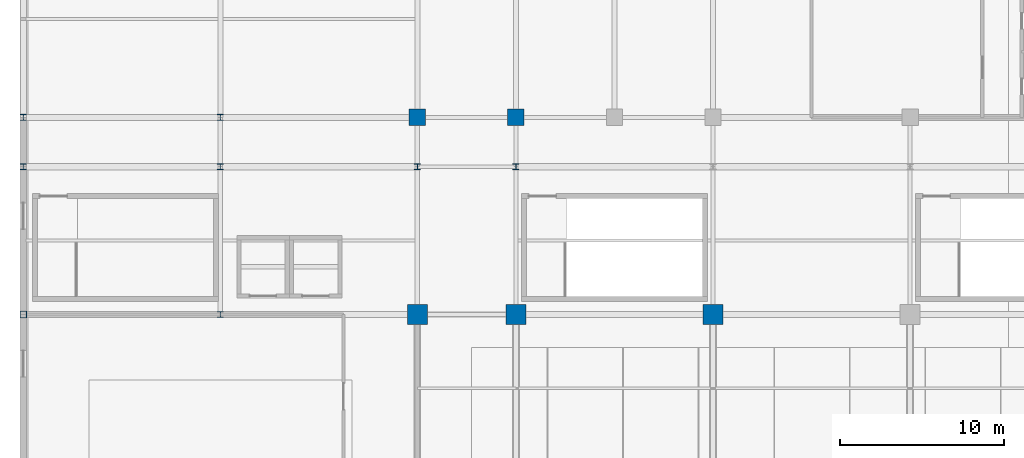
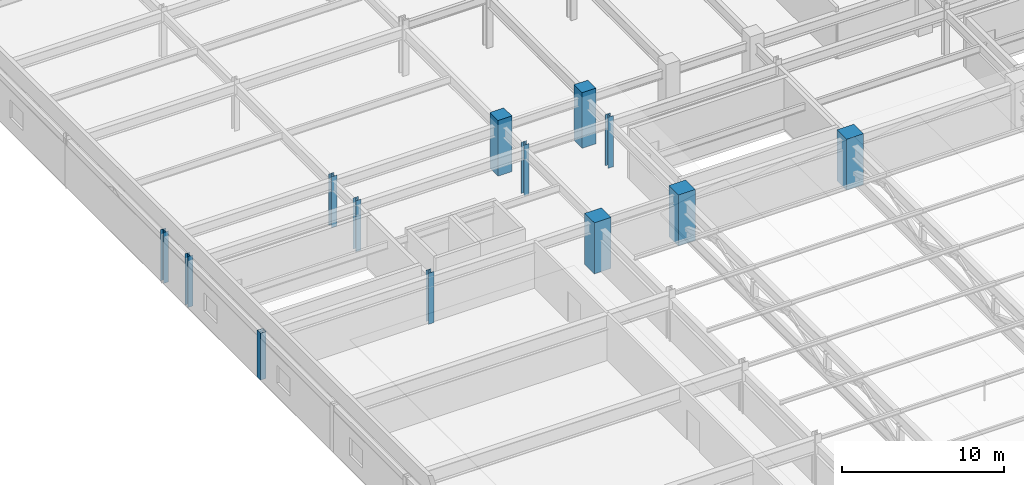
# One storey, part 7 of 108: 13 columns.
"""IFC4 building model written with IfcOpenShell, lengths in metres."""

from ifc_helpers import new_model, si_unit, direction, frame, origin, origin_2d, place, context, subcontext, project, spatial, rectangle, hollow_rectangle, i_section, extrude, material, material_profile, profile_set, type_object, element, save


model = new_model("IFC4")

# Units and contexts
model_context = context("Model", 3, precision=1e-05, world=origin(), true_north=direction((0.0, 1.0)))
body_context = subcontext(model_context, "Body", "Model", "MODEL_VIEW")
ifc_project = project(units=[si_unit("LENGTHUNIT", "METRE"), si_unit("AREAUNIT", "SQUARE_METRE"), si_unit("VOLUMEUNIT", "CUBIC_METRE"), si_unit("PLANEANGLEUNIT", "RADIAN"), si_unit("MASSUNIT", "GRAM", prefix="KILO")], contexts=[model_context])

# Site, building, storey
site_placement = place(None, origin())
site = spatial("IfcSite", under=ifc_project, at=site_placement, CompositionType="ELEMENT")
building_placement = place(site_placement, origin())
building = spatial("IfcBuilding", under=site, at=building_placement, Name="Kaldorvane Square Convention Centre", CompositionType="ELEMENT")
storey_placement = place(building_placement, frame((0.0, 0.0, 23.399993896484375)))
storey = spatial("IfcBuildingStorey", under=building, at=storey_placement, Name="L04", CompositionType="ELEMENT", Elevation=23.399993896484375)

# Columns
ifc_material_1 = material(Name="Steel ASTM A500 Gr. C", Category="steel")
ifc_material_profile_1 = material_profile(ifc_material_1, hollow_rectangle(XDim=0.406402587890625, YDim=0.406402587890625, WallThickness=0.014801025390625, at=origin_2d()), Name="HSS16X16X5/8")
ifc_profile_set_1 = profile_set([ifc_material_profile_1], Name="Steel ASTM A500 Gr. C")
column_type_1 = type_object("IfcColumnType", Name="COL-HSS-16", PredefinedType="COLUMN", material=ifc_profile_set_1)
column_placement = place(storey_placement, frame((0.0, 72.0, 0.0), z_axis=(0.0, 0.0, 1.0), x_axis=(1.0, 0.0, 0.0)))
element("IfcColumn", 1, at=column_placement, inside=storey, type_object=column_type_1, Name="Column SC-14 (L04)", PredefinedType="COLUMN", context=body_context, shape_type="SweptSolid", body=[
    extrude(hollow_rectangle(XDim=0.406402587890625, YDim=0.406402587890625, WallThickness=0.014801025390625, at=origin_2d()), origin(), (0.0, 0.0, 1.0), 3.529998779296875),
])
ifc_material_2 = material(Name="Concrete f'c = 55 MPa (Normalweight)", Category="concrete")
ifc_material_profile_2 = material_profile(ifc_material_2, rectangle(XDim=1.1999969482421875, YDim=1.1999969482421875, at=origin_2d()), Name="RC1200X1200")
ifc_profile_set_2 = profile_set([ifc_material_profile_2], Name="Concrete f'c = 55 MPa (Normalweight)")
column_type_2 = type_object("IfcColumnType", Name="COL-MEGA-1200", PredefinedType="COLUMN", material=ifc_profile_set_2)
for number, where, z_axis, x_axis, name in (
    (2, (24.0, 72.0, 0.0), (0.0, 0.0, 1.0), (1.0, 0.0, 0.0), "Column MC-02 (L04)"),
    (3, (30.0, 72.0, 0.0), (0.0, 0.0, 1.0), (1.0, 0.0, 0.0), "Column MC-02 (L04)"),
    (4, (42.0, 72.0, 0.0), (0.0, 0.0, 1.0), (1.0, 0.0, 0.0), "Column MC-02 (L04)"),
):
    element("IfcColumn", number, at=place(storey_placement, frame(where, z_axis=z_axis, x_axis=x_axis)), inside=storey, type_object=column_type_2, Name=name, PredefinedType="COLUMN", context=body_context, shape_type="SweptSolid", body=[
        extrude(rectangle(XDim=1.1999969482421875, YDim=1.1999969482421875, at=origin_2d()), origin(), (0.0, 0.0, 1.0), 3.850006103515625),
    ])
ifc_material_profile_3 = material_profile(ifc_material_2, rectangle(XDim=1.0, YDim=1.0, at=origin_2d()), Name="RC1000X1000")
ifc_profile_set_3 = profile_set([ifc_material_profile_3], Name="Concrete f'c = 55 MPa (Normalweight)")
column_type_3 = type_object("IfcColumnType", Name="COL-RC-1000", PredefinedType="COLUMN", material=ifc_profile_set_3)
for number, where, z_axis, x_axis, name in (
    (5, (24.0, 84.0, 0.0), (0.0, 0.0, 1.0), (1.0, 0.0, 0.0), "Column CC-02 (L04)"),
    (6, (30.0, 84.0, 0.0), (0.0, 0.0, 1.0), (1.0, 0.0, 0.0), "Column CC-02 (L04)"),
):
    element("IfcColumn", number, at=place(storey_placement, frame(where, z_axis=z_axis, x_axis=x_axis)), inside=storey, type_object=column_type_3, Name=name, PredefinedType="COLUMN", context=body_context, shape_type="SweptSolid", body=[
        extrude(rectangle(XDim=1.0, YDim=1.0, at=origin_2d()), origin(), (0.0, 0.0, 1.0), 4.20001220703125),
    ])
ifc_material_3 = material(Name="Steel ASTM A992 Gr. 50", Category="steel")
ifc_material_profile_4 = material_profile(ifc_material_3, i_section(OverallWidth=0.3701019287109375, OverallDepth=0.360198974609375, WebThickness=0.012298583984375, FlangeThickness=0.019805908203125, FilletRadius=0.0305023193359375, at=origin_2d()), Name="W14X99")
ifc_profile_set_4 = profile_set([ifc_material_profile_4], Name="Steel ASTM A992 Gr. 50")
column_type_4 = type_object("IfcColumnType", Name="COL-STL-99", PredefinedType="COLUMN", material=ifc_profile_set_4)
for number, where, z_axis, x_axis, name in (
    (7, (0.0, 81.0, 0.0), (0.0, 0.0, 1.0), (1.0, 0.0, 0.0), "Column SC-12 (L04)"),
    (8, (0.0, 84.0, 0.0), (0.0, 0.0, 1.0), (1.0, 0.0, 0.0), "Column SC-12 (L04)"),
    (9, (12.0, 72.0, 0.0), (0.0, 0.0, 1.0), (1.0, 0.0, 0.0), "Column SC-12 (L04)"),
    (10, (12.0, 81.0, 0.0), (0.0, 0.0, 1.0), (1.0, 0.0, 0.0), "Column SC-12 (L04)"),
    (11, (12.0, 84.0, 0.0), (0.0, 0.0, 1.0), (1.0, 0.0, 0.0), "Column SC-12 (L04)"),
    (12, (24.0, 81.0, 0.0), (0.0, 0.0, 1.0), (1.0, 0.0, 0.0), "Column SC-12 (L04)"),
    (13, (30.0, 81.0, 0.0), (0.0, 0.0, 1.0), (1.0, 0.0, 0.0), "Column SC-12 (L04)"),
):
    element("IfcColumn", number, at=place(storey_placement, frame(where, z_axis=z_axis, x_axis=x_axis)), inside=storey, type_object=column_type_4, Name=name, PredefinedType="COLUMN", context=body_context, shape_type="SweptSolid", body=[
        extrude(i_section(OverallWidth=0.3701019287109375, OverallDepth=0.360198974609375, WebThickness=0.012298583984375, FlangeThickness=0.019805908203125, FilletRadius=0.0305023193359375, at=origin_2d()), origin(), (0.0, 0.0, 1.0), 3.850006103515625),
    ])

save(model, "model.ifc")
